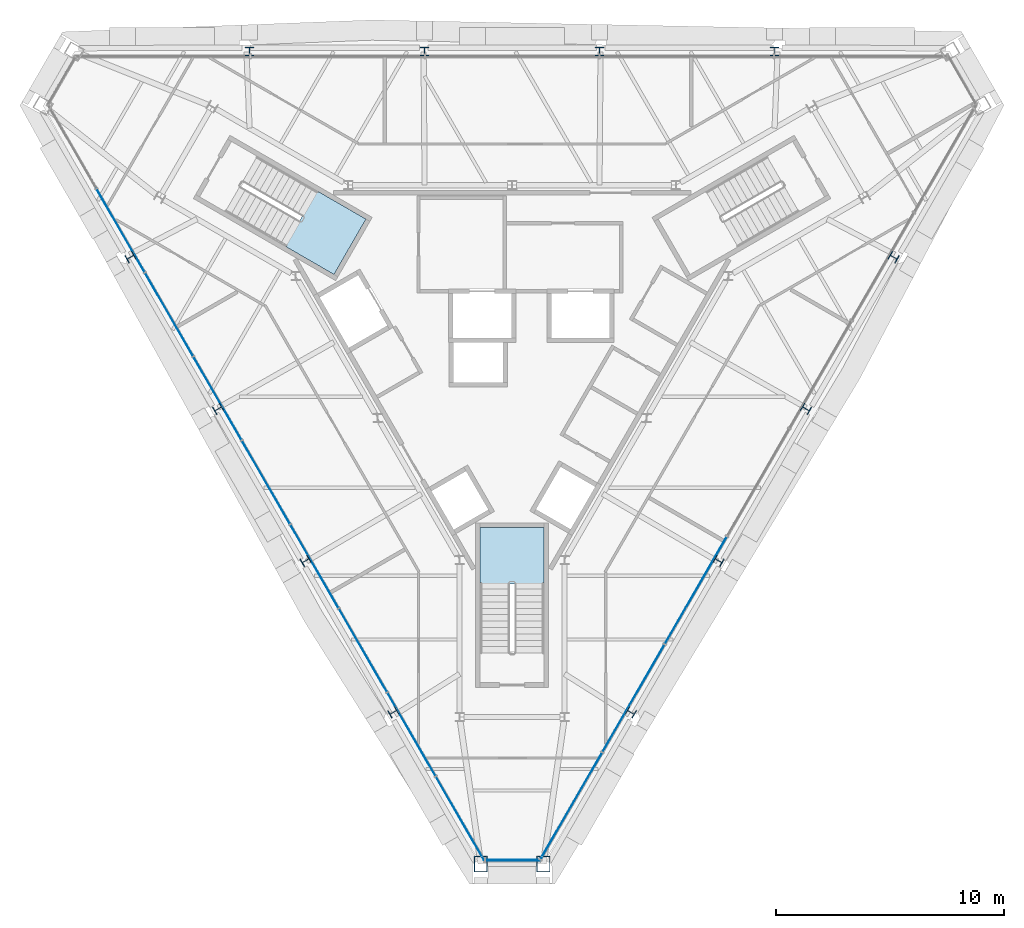
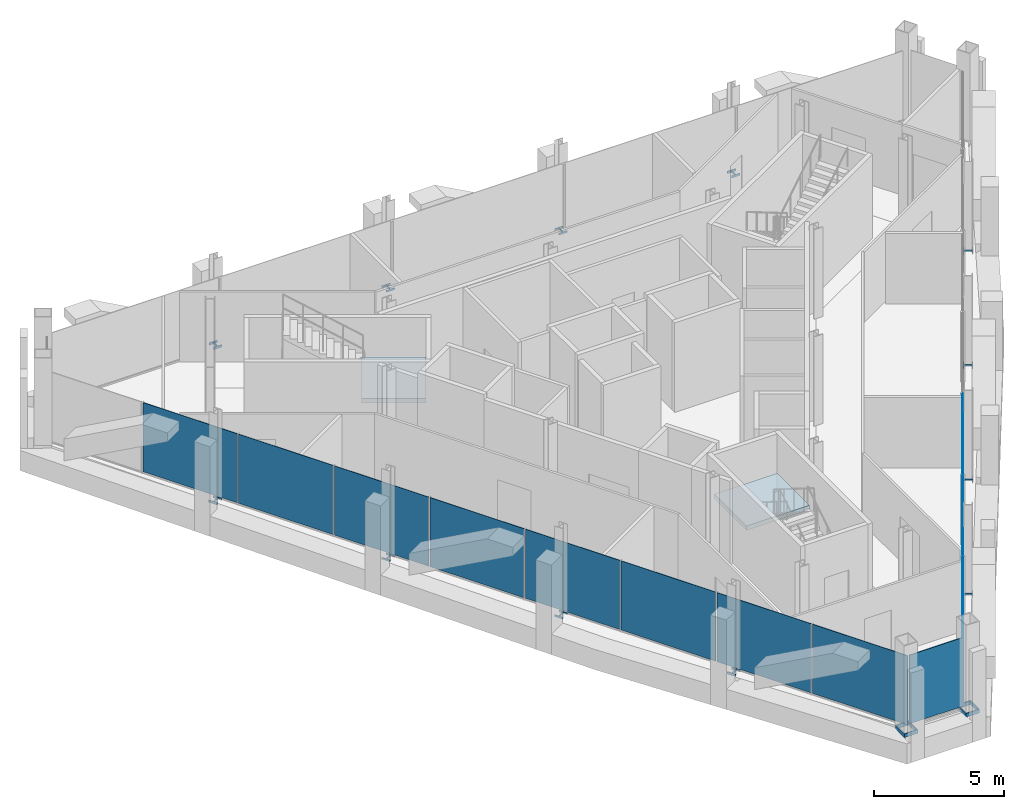
# One storey, part 8 of 13: 14 members, 12 plates, 2 slabs, 5 elements without a shape of their own.
"""IFC4 building model written with IfcOpenShell, lengths in metres."""

from ifc_helpers import new_model, si_unit, direction, frame, origin, origin_2d, place, context, subcontext, project, spatial, polyline, rectangle, hollow_rectangle, i_section, outline, extrude, material, layer, layer_set, material_profile, profile_set, type_object, element, aggregate, save


model = new_model("IFC4")

# Units and contexts
model_context = context("Model", 3, precision=1e-05, world=origin(), true_north=direction((0.0, 1.0)))
body_context = subcontext(model_context, "Body", "Model", "MODEL_VIEW")
ifc_project = project(units=[si_unit("LENGTHUNIT", "METRE"), si_unit("AREAUNIT", "SQUARE_METRE"), si_unit("VOLUMEUNIT", "CUBIC_METRE"), si_unit("PLANEANGLEUNIT", "RADIAN"), si_unit("MASSUNIT", "GRAM", prefix="KILO")], contexts=[model_context])

# Site, building, storey
site_placement = place(None, origin())
site = spatial("IfcSite", under=ifc_project, at=site_placement, CompositionType="ELEMENT")
building_placement = place(site_placement, origin())
building = spatial("IfcBuilding", under=site, at=building_placement, Name="Verrane Prism Tower", CompositionType="ELEMENT")
storey_placement = place(building_placement, frame((0.0, 0.0, 308.39990234375)))
storey = spatial("IfcBuildingStorey", under=building, at=storey_placement, Name="L78", CompositionType="ELEMENT", Elevation=308.39990234375)

# Members
ifc_material_1 = material(Name="Steel A572 Grade 50", Category="steel")
ifc_material_profile_1 = material_profile(ifc_material_1, hollow_rectangle(XDim=0.60009765625, YDim=0.699951171875, WallThickness=0.0400390625, at=origin_2d()), Name="BOX 700x600x40")
ifc_profile_set_1 = profile_set([ifc_material_profile_1], Name="Steel A572 Grade 50")
member_type_1 = type_object("IfcMemberType", Name="Kink node BOX 700x600x40", PredefinedType="COLLAR", material=ifc_profile_set_1)
for number, where, z_axis, x_axis, name in (
    (1, (-1.371826171875, -22.951171875, -0.08984375), (0.0, 0.0, 1.0), (-1.0, 0.0, 0.0), "Kink node MC5 L78"),
    (2, (1.371826171875, -22.951171875, -0.08984375), (0.0, 0.0, 1.0), (-1.0, 0.0, 0.0), "Kink node MC5 L78"),
):
    element("IfcMember", number, at=place(storey_placement, frame(where, z_axis=z_axis, x_axis=x_axis)), inside=storey, type_object=member_type_1, Name=name, PredefinedType="COLLAR", context=body_context, shape_type="SweptSolid", body=[
        extrude(hollow_rectangle(XDim=0.60009765625, YDim=0.699951171875, WallThickness=0.0400390625, at=origin_2d()), origin(), (0.0, 0.0, 1.0), 0.179931640625),
    ])
ifc_material_2 = material(Name="Steel A992", Category="steel")
ifc_material_profile_2 = material_profile(ifc_material_2, i_section(OverallWidth=0.373291015625, OverallDepth=0.368408203125, WebThickness=0.014892578125, FlangeThickness=0.02392578125, FilletRadius=0.01513671875, at=origin_2d()), Name="W14x120")
ifc_profile_set_2 = profile_set([ifc_material_profile_2], Name="Steel A992")
member_type_2 = type_object("IfcMemberType", Name="Kink node W14x120", PredefinedType="COLLAR", material=ifc_profile_set_2)
member_1_placement = place(storey_placement, frame((11.50634765625, 12.657470703125, -0.054931640625), z_axis=(0.0, 0.0, 1.0), x_axis=(1.0, 0.0, 0.0)))
element("IfcMember", 3, at=member_1_placement, inside=storey, type_object=member_type_2, Name="Kink node PC11 L78", PredefinedType="COLLAR", context=body_context, shape_type="SweptSolid", body=[
    extrude(i_section(OverallWidth=0.373291015625, OverallDepth=0.368408203125, WebThickness=0.014892578125, FlangeThickness=0.02392578125, FilletRadius=0.01513671875, at=origin_2d()), origin(), (0.0, 0.0, 1.0), 0.110107421875),
])
for number, where, z_axis, x_axis, name in (
    (4, (3.831787109375, 12.656005859375, -0.044921875), (0.0, 0.0, 1.0), (1.0, 0.0, 0.0), "Kink node PC11 L78"),
    (5, (-3.831787109375, 12.656005859375, -0.044921875), (0.0, 0.0, 1.0), (1.0, 0.0, 0.0), "Kink node PC11 L78"),
):
    element("IfcMember", number, at=place(storey_placement, frame(where, z_axis=z_axis, x_axis=x_axis)), inside=storey, type_object=member_type_2, Name=name, PredefinedType="COLLAR", context=body_context, shape_type="SweptSolid", body=[
        extrude(i_section(OverallWidth=0.373291015625, OverallDepth=0.368408203125, WebThickness=0.014892578125, FlangeThickness=0.02392578125, FilletRadius=0.01513671875, at=origin_2d()), origin(), (0.0, 0.0, 1.0), 0.090087890625),
    ])
for number, where, z_axis, x_axis, name in (
    (6, (-11.50634765625, 12.657470703125, -0.054931640625), (0.0, 0.0, 1.0), (1.0, 0.0, 0.0), "Kink node PC11 L78"),
    (7, (5.203369140625, -16.29931640625, -0.054931640625), (0.0, 0.0, 1.0), (-0.5, -0.866025403784, 0.0), "Kink node PC11 L78"),
):
    element("IfcMember", number, at=place(storey_placement, frame(where, z_axis=z_axis, x_axis=x_axis)), inside=storey, type_object=member_type_2, Name=name, PredefinedType="COLLAR", context=body_context, shape_type="SweptSolid", body=[
        extrude(i_section(OverallWidth=0.373291015625, OverallDepth=0.368408203125, WebThickness=0.014892578125, FlangeThickness=0.02392578125, FilletRadius=0.01513671875, at=origin_2d()), origin(), (0.0, 0.0, 1.0), 0.110107421875),
    ])
for number, where, z_axis, x_axis, name in (
    (8, (9.04443359375, -9.654541015625, -0.044921875), (0.0, 0.0, 1.0), (-0.5, -0.866025403784, 0.0), "Kink node PC11 L78"),
    (9, (12.876220703125, -3.001708984375, -0.044921875), (0.0, 0.0, 1.0), (-0.5, -0.866025403784, 0.0), "Kink node PC11 L78"),
):
    element("IfcMember", number, at=place(storey_placement, frame(where, z_axis=z_axis, x_axis=x_axis)), inside=storey, type_object=member_type_2, Name=name, PredefinedType="COLLAR", context=body_context, shape_type="SweptSolid", body=[
        extrude(i_section(OverallWidth=0.373291015625, OverallDepth=0.368408203125, WebThickness=0.014892578125, FlangeThickness=0.02392578125, FilletRadius=0.01513671875, at=origin_2d()), origin(), (0.0, 0.0, 1.0), 0.090087890625),
    ])
for number, where, z_axis, x_axis, name in (
    (10, (16.719482421875, 3.641845703125, -0.054931640625), (0.0, 0.0, 1.0), (-0.5, -0.866025403784, 0.0), "Kink node PC11 L78"),
    (11, (-16.719482421875, 3.641845703125, -0.054931640625), (0.0, 0.0, 1.0), (-0.5, 0.866025403784, 0.0), "Kink node PC11 L78"),
):
    element("IfcMember", number, at=place(storey_placement, frame(where, z_axis=z_axis, x_axis=x_axis)), inside=storey, type_object=member_type_2, Name=name, PredefinedType="COLLAR", context=body_context, shape_type="SweptSolid", body=[
        extrude(i_section(OverallWidth=0.373291015625, OverallDepth=0.368408203125, WebThickness=0.014892578125, FlangeThickness=0.02392578125, FilletRadius=0.01513671875, at=origin_2d()), origin(), (0.0, 0.0, 1.0), 0.110107421875),
    ])
for number, where, z_axis, x_axis, name in (
    (12, (-12.876220703125, -3.001708984375, -0.044921875), (0.0, 0.0, 1.0), (-0.5, 0.866025403784, 0.0), "Kink node PC11 L78"),
    (13, (-9.04443359375, -9.654541015625, -0.044921875), (0.0, 0.0, 1.0), (-0.5, 0.866025403784, 0.0), "Kink node PC11 L78"),
):
    element("IfcMember", number, at=place(storey_placement, frame(where, z_axis=z_axis, x_axis=x_axis)), inside=storey, type_object=member_type_2, Name=name, PredefinedType="COLLAR", context=body_context, shape_type="SweptSolid", body=[
        extrude(i_section(OverallWidth=0.373291015625, OverallDepth=0.368408203125, WebThickness=0.014892578125, FlangeThickness=0.02392578125, FilletRadius=0.01513671875, at=origin_2d()), origin(), (0.0, 0.0, 1.0), 0.090087890625),
    ])
member_2_placement = place(storey_placement, frame((-5.203369140625, -16.29931640625, -0.054931640625), z_axis=(0.0, 0.0, 1.0), x_axis=(-0.5, 0.866025403784, 0.0)))
element("IfcMember", 14, at=member_2_placement, inside=storey, type_object=member_type_2, Name="Kink node PC11 L78", PredefinedType="COLLAR", context=body_context, shape_type="SweptSolid", body=[
    extrude(i_section(OverallWidth=0.373291015625, OverallDepth=0.368408203125, WebThickness=0.014892578125, FlangeThickness=0.02392578125, FilletRadius=0.01513671875, at=origin_2d()), origin(), (0.0, 0.0, 1.0), 0.110107421875),
])

# Curtain wall, plates
ifc_material_3 = material(Name="Aluminium framed insulated glazing", Category="aluminium")
curtain_wall_type_1 = type_object("IfcCurtainWallType", Name="Curtain wall CW-C 4200 module", PredefinedType="NOTDEFINED", material=ifc_material_3)
curtain_wall_1_placement = place(storey_placement, origin())
curtain_wall_1 = element("IfcCurtainWall", 15, at=curtain_wall_1_placement, inside=storey, type_object=curtain_wall_type_1, Name="Glazed curtain wall south-west face L78", PredefinedType="NOTDEFINED")
ifc_material_4 = material(Name="Low-iron insulating glass unit", Category="glass")
ifc_layer_1 = layer(ifc_material_4, 0.02392578125)
ifc_layer_set_1 = layer_set([ifc_layer_1], Name="Glazing panel IGU 24")
plate_type_1 = type_object("IfcPlateType", Name="Glazing panel IGU 24", PredefinedType="CURTAIN_PANEL", material=ifc_layer_set_1)
plate_1_placement = place(storey_placement, frame((-17.15087890625, 4.811767578125, 0.050048828125), z_axis=(0.0, 0.0, 1.0), x_axis=(0.500000216749, -0.866025278644, 0.0)))
plate_1 = element("IfcPlate", 16, at=plate_1_placement, type_object=plate_type_1, Name="CW78.4 panel 2", PredefinedType="CURTAIN_PANEL", context=body_context, shape_type="SweptSolid", body=[
    extrude(rectangle(XDim=4.197509765625, YDim=0.02392578125, at=origin_2d()), origin(), (0.0, 0.0, 1.0), 3.24658203125),
])
plate_2_placement = place(storey_placement, frame((-15.027099609375, 1.13330078125, 0.050048828125), z_axis=(0.0, 0.0, 1.0), x_axis=(0.500000216749, -0.866025278644, 0.0)))
plate_2 = element("IfcPlate", 17, at=plate_2_placement, type_object=plate_type_1, Name="CW78.4 panel 3", PredefinedType="CURTAIN_PANEL", context=body_context, shape_type="SweptSolid", body=[
    extrude(rectangle(XDim=4.197509765625, YDim=0.02392578125, at=origin_2d()), origin(), (0.0, 0.0, 1.0), 3.24658203125),
])
plate_3_placement = place(storey_placement, frame((-12.9033203125, -2.545166015625, 0.050048828125), z_axis=(0.0, 0.0, 1.0), x_axis=(0.500000216749, -0.866025278644, 0.0)))
plate_3 = element("IfcPlate", 18, at=plate_3_placement, type_object=plate_type_1, Name="CW78.4 panel 4", PredefinedType="CURTAIN_PANEL", context=body_context, shape_type="SweptSolid", body=[
    extrude(rectangle(XDim=4.197509765625, YDim=0.02392578125, at=origin_2d()), origin(), (0.0, 0.0, 1.0), 3.24658203125),
])
plate_4_placement = place(storey_placement, frame((-10.779541015625, -6.2236328125, 0.050048828125), z_axis=(0.0, 0.0, 1.0), x_axis=(0.500000216749, -0.866025278644, 0.0)))
plate_4 = element("IfcPlate", 19, at=plate_4_placement, type_object=plate_type_1, Name="CW78.4 panel 5", PredefinedType="CURTAIN_PANEL", context=body_context, shape_type="SweptSolid", body=[
    extrude(rectangle(XDim=4.197509765625, YDim=0.02392578125, at=origin_2d()), origin(), (0.0, 0.0, 1.0), 3.24658203125),
])
plate_5_placement = place(storey_placement, frame((-8.65576171875, -9.902099609375, 0.050048828125), z_axis=(0.0, 0.0, 1.0), x_axis=(0.500000216749, -0.866025278644, 0.0)))
plate_5 = element("IfcPlate", 20, at=plate_5_placement, type_object=plate_type_1, Name="CW78.4 panel 6", PredefinedType="CURTAIN_PANEL", context=body_context, shape_type="SweptSolid", body=[
    extrude(rectangle(XDim=4.197509765625, YDim=0.02392578125, at=origin_2d()), origin(), (0.0, 0.0, 1.0), 3.24658203125),
])
plate_6_placement = place(storey_placement, frame((-6.531982421875, -13.58056640625, 0.050048828125), z_axis=(0.0, 0.0, 1.0), x_axis=(0.500000216749, -0.866025278644, 0.0)))
plate_6 = element("IfcPlate", 21, at=plate_6_placement, type_object=plate_type_1, Name="CW78.4 panel 7", PredefinedType="CURTAIN_PANEL", context=body_context, shape_type="SweptSolid", body=[
    extrude(rectangle(XDim=4.197509765625, YDim=0.02392578125, at=origin_2d()), origin(), (0.0, 0.0, 1.0), 3.24658203125),
])
plate_7_placement = place(storey_placement, frame((-4.408203125, -17.259033203125, 0.050048828125), z_axis=(0.0, 0.0, 1.0), x_axis=(0.500000216749, -0.866025278644, 0.0)))
plate_7 = element("IfcPlate", 22, at=plate_7_placement, type_object=plate_type_1, Name="CW78.4 panel 8", PredefinedType="CURTAIN_PANEL", context=body_context, shape_type="SweptSolid", body=[
    extrude(rectangle(XDim=4.197509765625, YDim=0.02392578125, at=origin_2d()), origin(), (0.0, 0.0, 1.0), 3.24658203125),
])
plate_8_placement = place(storey_placement, frame((-2.2783203125, -20.948486328125, 0.050048828125), z_axis=(0.0, 0.0, 1.0), x_axis=(0.500000216749, -0.866025278644, 0.0)))
plate_8 = element("IfcPlate", 23, at=plate_8_placement, type_object=plate_type_1, Name="CW78.4 panel 9", PredefinedType="CURTAIN_PANEL", context=body_context, shape_type="SweptSolid", body=[
    extrude(rectangle(XDim=4.22265625, YDim=0.02392578125, at=origin_2d()), origin(), (0.0, 0.0, 1.0), 3.24658203125),
])
aggregate(curtain_wall_1, [plate_1, plate_2, plate_3, plate_4, plate_5, plate_6, plate_7, plate_8])

ifc_material_5 = material(Name="Aluminium framed insulated glazing", Category="aluminium")
curtain_wall_type_2 = type_object("IfcCurtainWallType", Name="Curtain wall CW-B 5600 module", PredefinedType="NOTDEFINED", material=ifc_material_5)
curtain_wall_2_placement = place(storey_placement, origin())
curtain_wall_2 = element("IfcCurtainWall", 24, at=curtain_wall_2_placement, inside=storey, type_object=curtain_wall_type_2, Name="Glazed curtain wall south-east face L78", PredefinedType="NOTDEFINED")
ifc_material_6 = material(Name="Low-iron insulating glass unit", Category="glass")
ifc_layer_2 = layer(ifc_material_6, 0.028076171875)
ifc_layer_set_2 = layer_set([ifc_layer_2], Name="Glazing panel IGU 28")
plate_type_2 = type_object("IfcPlateType", Name="Glazing panel IGU 28", PredefinedType="CURTAIN_PANEL", material=ifc_layer_set_2)
plate_9_placement = place(storey_placement, frame((2.595458984375, -20.399169921875, 0.06005859375), z_axis=(0.0, 0.0, 1.0), x_axis=(0.500000216749, 0.866025278644, 0.0)))
plate_9 = element("IfcPlate", 25, at=plate_9_placement, type_object=plate_type_2, Name="CW78.6 panel 1", PredefinedType="CURTAIN_PANEL", context=body_context, shape_type="SweptSolid", body=[
    extrude(rectangle(XDim=5.37109375, YDim=0.028076171875, at=origin_2d()), origin(), (0.0, 0.0, 1.0), 3.23681640625),
])
plate_10_placement = place(storey_placement, frame((5.318359375, -15.6826171875, 0.06005859375), z_axis=(0.0, 0.0, 1.0), x_axis=(0.500000216749, 0.866025278644, 0.0)))
plate_10 = element("IfcPlate", 26, at=plate_10_placement, type_object=plate_type_2, Name="CW78.6 panel 2", PredefinedType="CURTAIN_PANEL", context=body_context, shape_type="SweptSolid", body=[
    extrude(rectangle(XDim=5.401123046875, YDim=0.028076171875, at=origin_2d()), origin(), (0.0, 0.0, 1.0), 3.23681640625),
])
plate_11_placement = place(storey_placement, frame((8.049072265625, -10.953125, 0.06005859375), z_axis=(0.0, 0.0, 1.0), x_axis=(0.500000216749, 0.866025278644, 0.0)))
plate_11 = element("IfcPlate", 27, at=plate_11_placement, type_object=plate_type_2, Name="CW78.6 panel 3", PredefinedType="CURTAIN_PANEL", context=body_context, shape_type="SweptSolid", body=[
    extrude(rectangle(XDim=5.401123046875, YDim=0.028076171875, at=origin_2d()), origin(), (0.0, 0.0, 1.0), 3.23681640625),
])
aggregate(curtain_wall_2, [plate_9, plate_10, plate_11])

# Curtain wall, plate
ifc_material_7 = material(Name="Aluminium framed insulated glazing", Category="aluminium")
curtain_wall_type_3 = type_object("IfcCurtainWallType", Name="Curtain wall CW-A 8400 module", PredefinedType="NOTDEFINED", material=ifc_material_7)
curtain_wall_3_placement = place(storey_placement, origin())
curtain_wall_3 = element("IfcCurtainWall", 28, at=curtain_wall_3_placement, inside=storey, type_object=curtain_wall_type_3, Name="Glazed curtain wall south corner L78", PredefinedType="NOTDEFINED")
ifc_material_8 = material(Name="Low-iron insulating glass unit", Category="glass")
ifc_layer_3 = layer(ifc_material_8, 0.031982421875)
ifc_layer_set_3 = layer_set([ifc_layer_3], Name="Glazing panel IGU 32")
plate_type_3 = type_object("IfcPlateType", Name="Glazing panel IGU 32", PredefinedType="CURTAIN_PANEL", material=ifc_layer_set_3)
plate_12_placement = place(storey_placement, frame((0.034912109375, -22.77685546875, 0.06982421875), z_axis=(0.0, 0.0, 1.0), x_axis=(1.0, 0.0, 0.0)))
plate_12 = element("IfcPlate", 29, at=plate_12_placement, type_object=plate_type_3, Name="CW78.5 panel 1", PredefinedType="CURTAIN_PANEL", context=body_context, shape_type="SweptSolid", body=[
    extrude(rectangle(XDim=2.375244140625, YDim=0.031982421875, at=origin_2d()), origin(), (0.0, 0.0, 1.0), 3.226806640625),
])
aggregate(curtain_wall_3, [plate_12])

# Stair, slab
ifc_material_9 = material(Name="Concrete C40/50", Category="concrete")
stair_type = type_object("IfcStairType", Name="Exit stair 1300 dog-leg precast concrete C40/50", PredefinedType="HALF_TURN_STAIR", material=ifc_material_9)
stair_1_placement = place(storey_placement, origin())
stair_1 = element("IfcStair", 30, at=stair_1_placement, inside=storey, type_object=stair_type, Name="Stair 2 L78", PredefinedType="HALF_TURN_STAIR")
ifc_material_10 = material(Name="Concrete C40/50", Category="concrete")
ifc_layer_4 = layer(ifc_material_10, 0.199951171875)
ifc_layer_set_4 = layer_set([ifc_layer_4], Name="Stair landing 200 precast concrete C40/50")
slab_type = type_object("IfcSlabType", Name="Stair landing 200 precast concrete C40/50", PredefinedType="LANDING", material=ifc_layer_set_4)
slab_1_placement = place(storey_placement, frame((0.0, 0.0, 1.900146484375)))
slab_1 = element("IfcSlab", 31, at=slab_1_placement, type_object=slab_type, Name="Stair 2 landing 1", PredefinedType="LANDING", context=body_context, shape_type="SweptSolid", body=[
    extrude(outline(polyline([(-9.94921875, 4.127685546875), (-7.801513671875, 2.887451171875), (-6.4013671875, 5.3125), (-8.549072265625, 6.552490234375), (-9.94921875, 4.127685546875)])), origin(), (0.0, 0.0, 1.0), 0.199951171875),
])
aggregate(stair_1, [slab_1])

stair_2_placement = place(storey_placement, origin())
stair_2 = element("IfcStair", 32, at=stair_2_placement, inside=storey, type_object=stair_type, Name="Stair 3 L78", PredefinedType="HALF_TURN_STAIR")
slab_2_placement = place(storey_placement, frame((0.0, 0.0, 1.900146484375)))
slab_2 = element("IfcSlab", 33, at=slab_2_placement, type_object=slab_type, Name="Stair 3 landing 1", PredefinedType="LANDING", context=body_context, shape_type="SweptSolid", body=[
    extrude(outline(polyline([(1.39990234375, -10.679931640625), (1.39990234375, -8.199951171875), (-1.39990234375, -8.199951171875), (-1.39990234375, -10.679931640625), (1.39990234375, -10.679931640625)])), origin(), (0.0, 0.0, 1.0), 0.199951171875),
])
aggregate(stair_2, [slab_2])

save(model, "model.ifc")
